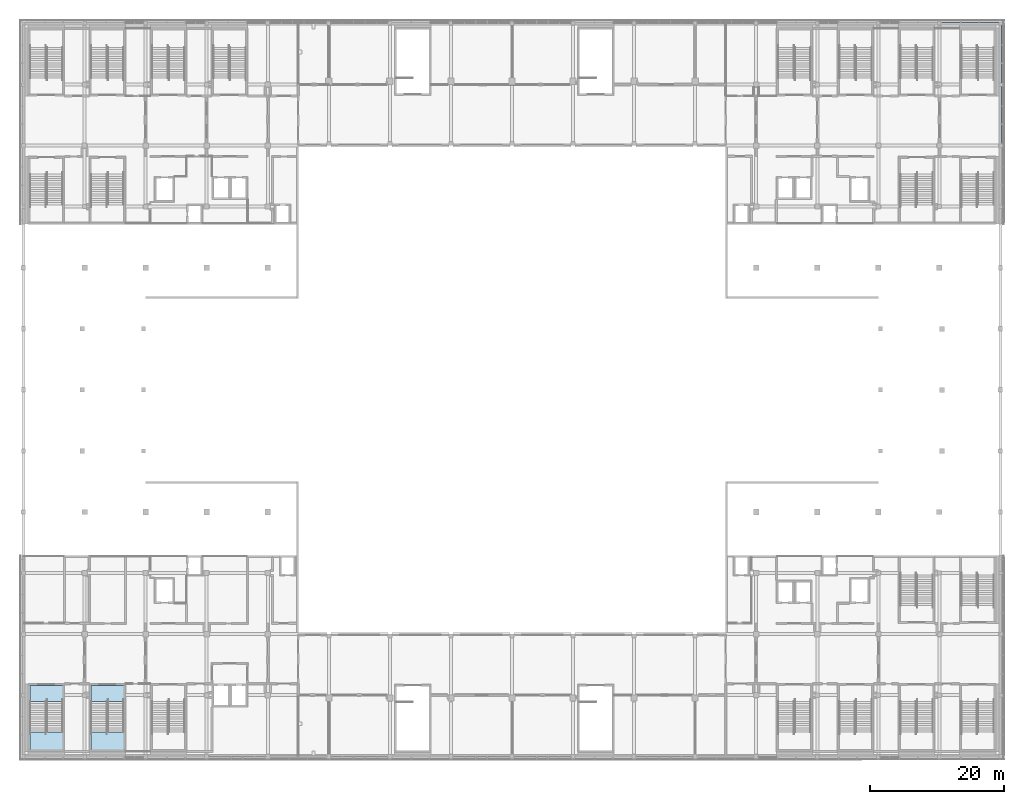
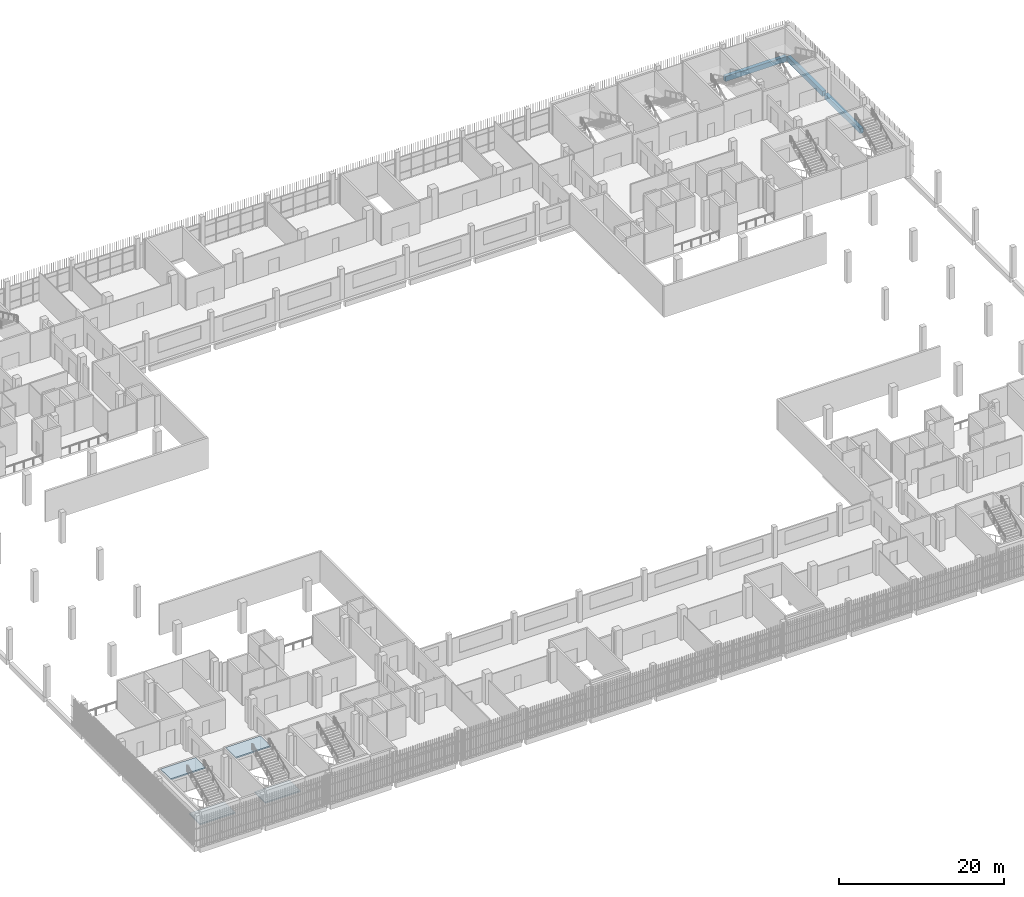
# One storey, part 43 of 104: 4 slabs, 3 beams, 2 elements without a shape of their own.
"""IFC4 building model written with IfcOpenShell, lengths in metres."""

from ifc_helpers import new_model, si_unit, direction, frame, origin, origin_2d, place, context, subcontext, project, spatial, polyline, rectangle, outline, extrude, material, layer, layer_set, material_profile, profile_set, type_object, element, aggregate, save


model = new_model("IFC4")

# Units and contexts
model_context = context("Model", 3, precision=1e-05, world=origin(), true_north=direction((0.0, 1.0)))
body_context = subcontext(model_context, "Body", "Model", "MODEL_VIEW")
ifc_project = project(units=[si_unit("LENGTHUNIT", "METRE"), si_unit("AREAUNIT", "SQUARE_METRE"), si_unit("VOLUMEUNIT", "CUBIC_METRE"), si_unit("PLANEANGLEUNIT", "RADIAN"), si_unit("MASSUNIT", "GRAM", prefix="KILO")], contexts=[model_context])

# Site, building, storey
site_placement = place(None, origin())
site = spatial("IfcSite", under=ifc_project, at=site_placement, CompositionType="ELEMENT")
building_placement = place(site_placement, origin())
building = spatial("IfcBuilding", under=site, at=building_placement, Name="Shirokan Park Arena", CompositionType="ELEMENT")
storey_placement = place(building_placement, frame((0.0, 0.0, 10.919921875)))
storey = spatial("IfcBuildingStorey", under=building, at=storey_placement, Name="L02", CompositionType="ELEMENT", Elevation=10.919921875)

# Beams
ifc_material_1 = material(Name="Concrete C35", Category="concrete")
ifc_material_profile = material_profile(ifc_material_1, rectangle(XDim=0.5, YDim=0.75, at=origin_2d()), Name="500x750")
ifc_profile_set = profile_set([ifc_material_profile], Name="Concrete C35")
beam_type = type_object("IfcBeamType", Name="RC girder 500x750", PredefinedType="BEAM", material=ifc_profile_set)
beam_1_placement = place(storey_placement, frame((136.775146484375, 109.199951171875, -0.6748046875), z_axis=(1.0, 0.0, 0.0), x_axis=(0.0, 1.0, 0.0)))
element("IfcBeam", 1, at=beam_1_placement, inside=storey, type_object=beam_type, Name="Girder 16N-17N L02", PredefinedType="BEAM", context=body_context, shape_type="SweptSolid", body=[
    extrude(rectangle(XDim=0.5, YDim=0.75, at=origin_2d()), origin(), (0.0, 0.0, 1.0), 8.57470703125),
])
beam_2_placement = place(storey_placement, frame((145.60009765625, 91.300048828125, -0.6748046875), z_axis=(0.0, 1.0, 0.0), x_axis=(-1.0, 0.0, 0.0)))
element("IfcBeam", 2, at=beam_2_placement, inside=storey, type_object=beam_type, Name="Girder 17L-17M L02", PredefinedType="BEAM", context=body_context, shape_type="SweptSolid", body=[
    extrude(rectangle(XDim=0.5, YDim=0.75, at=origin_2d()), origin(), (0.0, 0.0, 1.0), 8.5498046875),
])
beam_3_placement = place(storey_placement, frame((145.60009765625, 100.35009765625, -0.6748046875), z_axis=(0.0, 1.0, 0.0), x_axis=(-1.0, 0.0, 0.0)))
element("IfcBeam", 3, at=beam_3_placement, inside=storey, type_object=beam_type, Name="Girder 17M-17N L02", PredefinedType="BEAM", context=body_context, shape_type="SweptSolid", body=[
    extrude(rectangle(XDim=0.5, YDim=0.75, at=origin_2d()), origin(), (0.0, 0.0, 1.0), 8.599853515625),
])

# Stair, slabs
ifc_material_2 = material(Name="Concrete C30 precast", Category="concrete")
stair_type = type_object("IfcStairType", Name="Stair 30 risers 152 x 327 2400 wide", PredefinedType="TWO_STRAIGHT_RUN_STAIR", material=ifc_material_2)
stair_1_placement = place(storey_placement, origin())
stair_1 = element("IfcStair", 4, at=stair_1_placement, inside=storey, type_object=stair_type, Name="Exit Stair 1.A L02 to L03", PredefinedType="TWO_STRAIGHT_RUN_STAIR")
ifc_layer = layer(ifc_material_2, 0.199951171875)
ifc_layer_set = layer_set([ifc_layer], Name="Concrete C30 precast 200 mm")
slab_type = type_object("IfcSlabType", Name="Stair landing 200", PredefinedType="LANDING", material=ifc_layer_set)
slab_1_placement = place(storey_placement, frame((0.0, 0.0, 2.0751953125)))
slab_1 = element("IfcSlab", 5, at=slab_1_placement, type_object=slab_type, Name="ST01.3 landing 1", PredefinedType="LANDING", context=body_context, shape_type="SweptSolid", body=[
    extrude(outline(polyline([(0.949951171875, 0.949951171875), (5.85009765625, 0.949951171875), (5.85009765625, 3.576171875), (0.949951171875, 3.576171875), (0.949951171875, 0.949951171875)])), origin(), (0.0, 0.0, 1.0), 0.199951171875),
])
slab_2_placement = place(storey_placement, frame((0.0, 0.0, 4.35009765625)))
slab_2 = element("IfcSlab", 6, at=slab_2_placement, type_object=slab_type, Name="ST01.3 landing 2", PredefinedType="LANDING", context=body_context, shape_type="SweptSolid", body=[
    extrude(outline(polyline([(0.949951171875, 8.14990234375), (5.85009765625, 8.14990234375), (5.85009765625, 10.550048828125), (0.949951171875, 10.550048828125), (0.949951171875, 8.14990234375)])), origin(), (0.0, 0.0, 1.0), 0.199951171875),
])
aggregate(stair_1, [slab_1, slab_2])

stair_2_placement = place(storey_placement, origin())
stair_2 = element("IfcStair", 7, at=stair_2_placement, inside=storey, type_object=stair_type, Name="Exit Stair 1.B L02 to L03", PredefinedType="TWO_STRAIGHT_RUN_STAIR")
slab_3_placement = place(storey_placement, frame((0.0, 0.0, 2.0751953125)))
slab_3 = element("IfcSlab", 8, at=slab_3_placement, type_object=slab_type, Name="ST02.3 landing 1", PredefinedType="LANDING", context=body_context, shape_type="SweptSolid", body=[
    extrude(outline(polyline([(10.050048828125, 0.949951171875), (14.949951171875, 0.949951171875), (14.949951171875, 3.576171875), (10.050048828125, 3.576171875), (10.050048828125, 0.949951171875)])), origin(), (0.0, 0.0, 1.0), 0.199951171875),
])
slab_4_placement = place(storey_placement, frame((0.0, 0.0, 4.35009765625)))
slab_4 = element("IfcSlab", 9, at=slab_4_placement, type_object=slab_type, Name="ST02.3 landing 2", PredefinedType="LANDING", context=body_context, shape_type="SweptSolid", body=[
    extrude(outline(polyline([(10.050048828125, 8.14990234375), (14.949951171875, 8.14990234375), (14.949951171875, 10.550048828125), (10.050048828125, 10.550048828125), (10.050048828125, 8.14990234375)])), origin(), (0.0, 0.0, 1.0), 0.199951171875),
])
aggregate(stair_2, [slab_3, slab_4])

save(model, "model.ifc")
